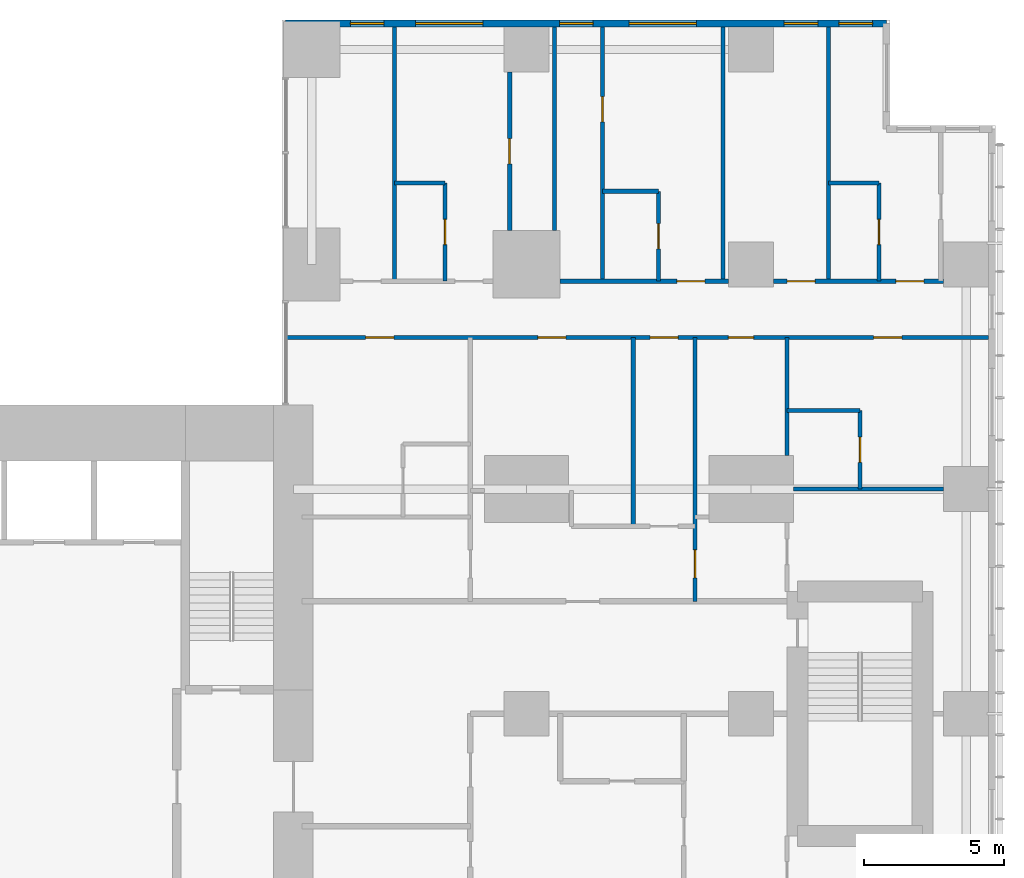
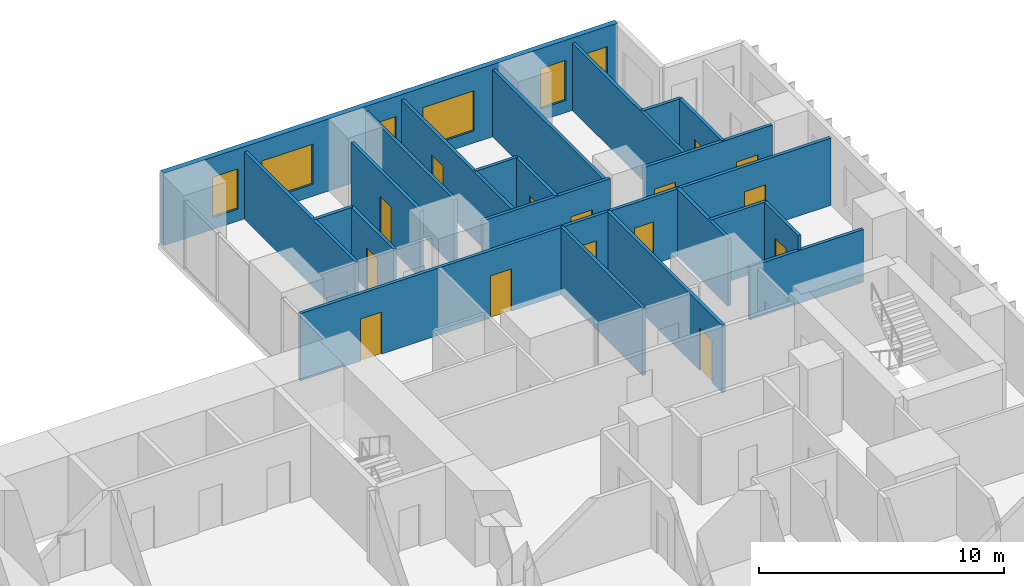
# One storey, part 10 of 12: 22 walls, 15 doors, 6 windows, 21 openings.
"""IFC4 building model written with IfcOpenShell, lengths in metres."""

import ifcopenshell
import ifcopenshell.guid

model = None  # the IFC model being written
_history = None  # IfcOwnerHistory: only IFC2X3 demands one
_inside = {}  # id of a spatial element -> (the spatial element, [elements in it])
_under = {}  # id of a project, library or spatial element -> (it, [spatial elements below it])
_declared = {}  # id of a project -> (the project, [libraries it declares])
_typed = {}  # id of a type object -> (the type object, [elements of that type])
_made_of = {}  # id of a material, layer set ... -> (it, [elements and type objects made of it])


def new_model(schema):
    """Start an empty IFC model of exactly this schema.

    Asked for "IFC4X3", IfcOpenShell would pick the latest addendum, in which some entities
    have other attributes; the version numbers below select the first issue.
    IFC2X3 requires an IfcOwnerHistory on every rooted entity: one is made here for all.
    """
    global model, _history
    if schema == "IFC4X3":
        model = ifcopenshell.file(schema_version=(4, 3, 0, 0))
    else:
        model = ifcopenshell.file(schema=schema)
    _inside.clear()
    _under.clear()
    _declared.clear()
    _typed.clear()
    _made_of.clear()
    _history = None
    if model.schema == "IFC2X3":
        org = make("IfcOrganization", Name="unknown")
        user = make(
            "IfcPersonAndOrganization",
            ThePerson=make("IfcPerson", FamilyName="unknown"),
            TheOrganization=org,
        )
        app = make(
            "IfcApplication",
            ApplicationDeveloper=org,
            Version="unknown",
            ApplicationFullName="unknown",
            ApplicationIdentifier="unknown",
        )
        _history = make(
            "IfcOwnerHistory",
            OwningUser=user,
            OwningApplication=app,
            ChangeAction="ADDED",
            CreationDate=0,
        )
    return model


def make(cls, **values):
    """One entity of the class cls with the attributes given. An attribute that is None is left unset."""
    return model.create_entity(
        cls, **{name: value for name, value in values.items() if value is not None}
    )


def rooted(cls, **values):
    """An entity with a GlobalId (a new one), such as an element, a storey or a relation."""
    return make(cls, GlobalId=ifcopenshell.guid.new(), OwnerHistory=_history, **values)


def si_unit(unit_type, name, prefix=None):
    """IfcSIUnit, for example si_unit("LENGTHUNIT", "METRE", prefix="MILLI")."""
    return make("IfcSIUnit", UnitType=unit_type, Prefix=prefix, Name=name)


def assignment(units):
    """IfcUnitAssignment: the units of a project."""
    return None if units is None else make("IfcUnitAssignment", Units=units)


def point(xyz):
    """IfcCartesianPoint."""
    return None if xyz is None else make("IfcCartesianPoint", Coordinates=xyz)


def direction(xyz):
    """IfcDirection."""
    return None if xyz is None else make("IfcDirection", DirectionRatios=xyz)


def frame(location, z_axis=None, x_axis=None):
    """IfcAxis2Placement3D, a coordinate frame: its origin and axes. An axis left out is left unset."""
    return make(
        "IfcAxis2Placement3D",
        Location=point(location),
        Axis=direction(z_axis),
        RefDirection=direction(x_axis),
    )


def frame_2d(location, x_axis=None):
    """IfcAxis2Placement2D, a coordinate frame in the plane: its origin and x axis."""
    return make(
        "IfcAxis2Placement2D", Location=point(location), RefDirection=direction(x_axis)
    )


def origin():
    """The frame at (0, 0, 0) with its axes left unset."""
    return frame((0.0, 0.0, 0.0))


def place(relative_to, where):
    """IfcLocalPlacement: puts the frame where relative to a parent placement (None: the world)."""
    return make(
        "IfcLocalPlacement", PlacementRelTo=relative_to, RelativePlacement=where
    )


def context(
    kind, dimensions, precision=None, world=None, true_north=None, identifier=None
):
    """IfcGeometricRepresentationContext, for example the 3D "Model" context."""
    return make(
        "IfcGeometricRepresentationContext",
        ContextIdentifier=identifier,
        ContextType=kind,
        CoordinateSpaceDimension=dimensions,
        Precision=precision,
        WorldCoordinateSystem=world,
        TrueNorth=true_north,
    )


def subcontext(parent, identifier, kind, view, scale=None):
    """IfcGeometricRepresentationSubContext, for example "Body" below "Model"."""
    return make(
        "IfcGeometricRepresentationSubContext",
        ContextIdentifier=identifier,
        ContextType=kind,
        ParentContext=parent,
        TargetScale=scale,
        TargetView=view,
    )


def project(units=None, contexts=None):
    """IfcProject with its units and contexts."""
    return rooted(
        "IfcProject",
        Name="project",
        RepresentationContexts=contexts,
        UnitsInContext=assignment(units),
    )


def spatial(cls, under=None, at=None, **own):
    """A site, building, storey or space (cls), placed at a placement, below another one or the project."""
    s = rooted(cls, ObjectPlacement=at, **own)
    if under is not None:
        _under.setdefault(under.id(), (under, []))[1].append(s)
    return s


def profile(cls, at=None, kind="AREA", **sizes):
    """A parametric profile (cls). Its sizes go by their IFC names, for example OverallWidth=200.0."""
    return make(cls, ProfileType=kind, Position=at, **sizes)


def rectangle(**sizes):
    """IfcRectangleProfileDef."""
    return profile("IfcRectangleProfileDef", **sizes)


def extrude(swept, where, along, depth):
    """IfcExtrudedAreaSolid: the profile swept, set in the frame where, extruded along a direction by depth."""
    return make(
        "IfcExtrudedAreaSolid",
        SweptArea=swept,
        Position=where,
        ExtrudedDirection=direction(along),
        Depth=depth,
    )


def shape(context_of_items, identifier, shape_type, items):
    """IfcShapeRepresentation: the items that make up one representation, for example the "Body"."""
    return make(
        "IfcShapeRepresentation",
        ContextOfItems=context_of_items,
        RepresentationIdentifier=identifier,
        RepresentationType=shape_type,
        Items=items,
    )


def material(Name=None, Category=None):
    """IfcMaterial."""
    return make("IfcMaterial", Name=Name, Category=Category)


def layer(
    of_material, thickness, ventilated=None, Name=None, Category=None, Priority=None
):
    """IfcMaterialLayer: one layer of a wall or slab, of a material (None: an air gap)."""
    return make(
        "IfcMaterialLayer",
        Material=of_material,
        LayerThickness=thickness,
        IsVentilated=ventilated,
        Name=Name,
        Category=Category,
        Priority=Priority,
    )


def layer_set(layers, Name=None):
    """IfcMaterialLayerSet."""
    return make("IfcMaterialLayerSet", MaterialLayers=layers, LayerSetName=Name)


def made_of(thing, what):
    """Note that an element or type object is made of a material, layer set ...; save() writes the relation."""
    if what is not None:
        _made_of.setdefault(what.id(), (what, []))[1].append(thing)
    return thing


def type_object(cls, material=None, **own):
    """A type object (cls), such as IfcWallType, which elements share."""
    return made_of(rooted(cls, **own), material)


def element(
    cls,
    number,
    at=None,
    inside=None,
    cuts=None,
    type_object=None,
    material=None,
    context=None,
    identifier="Body",
    shape_type=None,
    held_by="IfcProductDefinitionShape",
    body=None,
    shapes=None,
    **own,
):
    """One element of the class cls, such as IfcWall. Its Tag is "e" and its number.

    at: its placement. inside: the storey or other place that contains it. cuts: it is an
    opening in that element (IfcRelVoidsElement). A single representation is given by context,
    identifier, shape_type and body (its items); several are given by shapes. held_by: the class
    of the entity that holds the representations. save() writes the other relations.
    """
    e = rooted(cls, Tag="e%d" % number, ObjectPlacement=at, **own)
    if body is not None:
        shapes = [shape(context, identifier, shape_type, body)]
    if shapes is not None:
        e.Representation = make(held_by, Representations=shapes)
    if inside is not None:
        _inside.setdefault(inside.id(), (inside, []))[1].append(e)
    if cuts is not None:
        rooted(
            "IfcRelVoidsElement", RelatingBuildingElement=cuts, RelatedOpeningElement=e
        )
    if type_object is not None:
        _typed.setdefault(type_object.id(), (type_object, []))[1].append(e)
    return made_of(e, material)


def fill(opening, filler):
    """IfcRelFillsElement: the door or window that sits in an opening."""
    return rooted(
        "IfcRelFillsElement",
        RelatingOpeningElement=opening,
        RelatedBuildingElement=filler,
    )


def aggregate(whole, parts):
    """IfcRelAggregates: a whole, such as a stair, and the parts it consists of."""
    return rooted("IfcRelAggregates", RelatingObject=whole, RelatedObjects=parts)


def save(model, path):
    """Write the relations noted so far, then the file.

    IfcRelAggregates (storeys below a building ...), IfcRelContainedInSpatialStructure (elements
    in a storey), IfcRelDefinesByType, IfcRelAssociatesMaterial and IfcRelDeclares: one each for
    every whole, place, type object, material and project.
    """
    for whole, parts in _under.values():
        aggregate(whole, parts)
    for where, things in _inside.values():
        rooted(
            "IfcRelContainedInSpatialStructure",
            RelatedElements=things,
            RelatingStructure=where,
        )
    for kind, things in _typed.values():
        rooted("IfcRelDefinesByType", RelatedObjects=things, RelatingType=kind)
    for what, things in _made_of.values():
        rooted("IfcRelAssociatesMaterial", RelatedObjects=things, RelatingMaterial=what)
    for by, libraries in _declared.values():
        rooted("IfcRelDeclares", RelatingContext=by, RelatedDefinitions=libraries)
    model.write(path)


model = new_model("IFC4")

# Units and contexts
model_context = context("Model", 3, precision=1e-05, world=origin(), true_north=direction((0.0, 1.0)))
body_context = subcontext(model_context, "Body", "Model", "MODEL_VIEW")
ifc_project = project(units=[si_unit("LENGTHUNIT", "METRE"), si_unit("AREAUNIT", "SQUARE_METRE"), si_unit("VOLUMEUNIT", "CUBIC_METRE"), si_unit("PLANEANGLEUNIT", "RADIAN"), si_unit("MASSUNIT", "GRAM", prefix="KILO")], contexts=[model_context])

# Site, building, storey
site_placement = place(None, origin())
site = spatial("IfcSite", under=ifc_project, at=site_placement, CompositionType="ELEMENT")
building_placement = place(site_placement, origin())
building = spatial("IfcBuilding", under=site, at=building_placement, Name="Cleftline Residences", CompositionType="ELEMENT")
storey_placement = place(building_placement, frame((0.0, 0.0, 259.199951171875)))
storey = spatial("IfcBuildingStorey", under=building, at=storey_placement, Name="L68", CompositionType="ELEMENT", Elevation=259.199951171875)

# Wall, openings, windows
ifc_material_1 = material(Name="Rendered reinforced concrete blockwork", Category="masonry")
ifc_layer_1 = layer(ifc_material_1, 0.25)
ifc_layer_set_1 = layer_set([ifc_layer_1], Name="EXTERNAL WALL 250")
wall_type_1 = type_object("IfcWallType", Name="EXTERNAL WALL 250", PredefinedType="SOLIDWALL", material=ifc_layer_set_1)
wall_1_placement = place(storey_placement, frame((62.824951171875, 48.574951171875, 0.0), z_axis=(0.0, 0.0, 1.0), x_axis=(-1.0, 0.0, 0.0)))
wall_1 = element("IfcWall", 1, at=wall_1_placement, inside=storey, type_object=wall_type_1, Name="External wall", PredefinedType="SOLIDWALL", context=body_context, shape_type="SweptSolid", body=[
    extrude(rectangle(XDim=21.39990234375, YDim=0.25, at=frame_2d((10.699951171875, 0.0))), origin(), (0.0, 0.0, 1.0), 3.60009765625),
])
opening_1_placement = place(wall_1_placement, frame((0.5, 0.0, 0.60009765625)))
opening_1 = element("IfcOpeningElement", 2, at=opening_1_placement, cuts=wall_1, Name="Opening W8", PredefinedType="OPENING", context=body_context, shape_type="SweptSolid", body=[
    extrude(rectangle(XDim=1.199951171875, YDim=2.0, at=frame_2d((0.60009765625, 1.0))), frame((0.0, 0.135009765625, 0.0), z_axis=(0.0, -1.0, 0.0), x_axis=(1.0, 0.0, 0.0)), (0.0, 0.0, 1.0), 0.27001953125),
])
opening_2_placement = place(wall_1_placement, frame((2.449951171875, 0.0, 0.60009765625)))
opening_2 = element("IfcOpeningElement", 3, at=opening_2_placement, cuts=wall_1, Name="Opening W8", PredefinedType="OPENING", context=body_context, shape_type="SweptSolid", body=[
    extrude(rectangle(XDim=1.199951171875, YDim=2.0, at=frame_2d((0.60009765625, 1.0))), frame((0.0, 0.135009765625, 0.0), z_axis=(0.0, -1.0, 0.0), x_axis=(1.0, 0.0, 0.0)), (0.0, 0.0, 1.0), 0.27001953125),
])
opening_3_placement = place(wall_1_placement, frame((6.77490234375, 0.0, 0.60009765625)))
opening_3 = element("IfcOpeningElement", 4, at=opening_3_placement, cuts=wall_1, Name="Opening W6", PredefinedType="OPENING", context=body_context, shape_type="SweptSolid", body=[
    extrude(rectangle(XDim=2.39990234375, YDim=2.0, at=frame_2d((1.199951171875, 1.0))), frame((0.0, 0.135009765625, 0.0), z_axis=(0.0, -1.0, 0.0), x_axis=(1.0, 0.0, 0.0)), (0.0, 0.0, 1.0), 0.27001953125),
])
opening_4_placement = place(wall_1_placement, frame((10.449951171875, 0.0, 0.60009765625)))
opening_4 = element("IfcOpeningElement", 5, at=opening_4_placement, cuts=wall_1, Name="Opening W8", PredefinedType="OPENING", context=body_context, shape_type="SweptSolid", body=[
    extrude(rectangle(XDim=1.199951171875, YDim=2.0, at=frame_2d((0.60009765625, 1.0))), frame((0.0, 0.135009765625, 0.0), z_axis=(0.0, -1.0, 0.0), x_axis=(1.0, 0.0, 0.0)), (0.0, 0.0, 1.0), 0.27001953125),
])
opening_5_placement = place(wall_1_placement, frame((14.375, 0.0, 0.60009765625)))
opening_5 = element("IfcOpeningElement", 6, at=opening_5_placement, cuts=wall_1, Name="Opening W6", PredefinedType="OPENING", context=body_context, shape_type="SweptSolid", body=[
    extrude(rectangle(XDim=2.39990234375, YDim=2.0, at=frame_2d((1.199951171875, 1.0))), frame((0.0, 0.135009765625, 0.0), z_axis=(0.0, -1.0, 0.0), x_axis=(1.0, 0.0, 0.0)), (0.0, 0.0, 1.0), 0.27001953125),
])
opening_6_placement = place(wall_1_placement, frame((17.89990234375, 0.0, 0.60009765625)))
opening_6 = element("IfcOpeningElement", 7, at=opening_6_placement, cuts=wall_1, Name="Opening W8", PredefinedType="OPENING", context=body_context, shape_type="SweptSolid", body=[
    extrude(rectangle(XDim=1.199951171875, YDim=2.0, at=frame_2d((0.60009765625, 1.0))), frame((0.0, 0.135009765625, 0.0), z_axis=(0.0, -1.0, 0.0), x_axis=(1.0, 0.0, 0.0)), (0.0, 0.0, 1.0), 0.27001953125),
])
ifc_material_2 = material(Name="Aluminium frame, clear double glazing", Category="aluminium")
window_type_1 = type_object("IfcWindowType", Name="WINDOW 1200X2000", PartitioningType="DOUBLE_PANEL_VERTICAL", PredefinedType="WINDOW", material=ifc_material_2)
window_1_placement = place(opening_1_placement, origin())
window_1 = element("IfcWindow", 8, at=window_1_placement, inside=storey, type_object=window_type_1, Name="Window", OverallHeight=2.0, OverallWidth=1.199951171875, PartitioningType="SINGLE_PANEL", PredefinedType="WINDOW", context=body_context, shape_type="SweptSolid", body=[
    extrude(rectangle(XDim=1.199951171875, YDim=2.0, at=frame_2d((0.60009765625, 1.0))), frame((0.0, 0.030029296875, 0.0), z_axis=(0.0, -1.0, 0.0), x_axis=(1.0, 0.0, 0.0)), (0.0, 0.0, 1.0), 0.06005859375),
])
fill(opening_1, window_1)
window_2_placement = place(opening_2_placement, origin())
window_2 = element("IfcWindow", 9, at=window_2_placement, inside=storey, type_object=window_type_1, Name="Window", OverallHeight=2.0, OverallWidth=1.199951171875, PartitioningType="SINGLE_PANEL", PredefinedType="WINDOW", context=body_context, shape_type="SweptSolid", body=[
    extrude(rectangle(XDim=1.199951171875, YDim=2.0, at=frame_2d((0.60009765625, 1.0))), frame((0.0, 0.030029296875, 0.0), z_axis=(0.0, -1.0, 0.0), x_axis=(1.0, 0.0, 0.0)), (0.0, 0.0, 1.0), 0.06005859375),
])
fill(opening_2, window_2)
window_3_placement = place(opening_4_placement, origin())
window_3 = element("IfcWindow", 10, at=window_3_placement, inside=storey, type_object=window_type_1, Name="Window", OverallHeight=2.0, OverallWidth=1.199951171875, PartitioningType="SINGLE_PANEL", PredefinedType="WINDOW", context=body_context, shape_type="SweptSolid", body=[
    extrude(rectangle(XDim=1.199951171875, YDim=2.0, at=frame_2d((0.60009765625, 1.0))), frame((0.0, 0.030029296875, 0.0), z_axis=(0.0, -1.0, 0.0), x_axis=(1.0, 0.0, 0.0)), (0.0, 0.0, 1.0), 0.06005859375),
])
fill(opening_4, window_3)
window_4_placement = place(opening_6_placement, origin())
window_4 = element("IfcWindow", 11, at=window_4_placement, inside=storey, type_object=window_type_1, Name="Window", OverallHeight=2.0, OverallWidth=1.199951171875, PartitioningType="SINGLE_PANEL", PredefinedType="WINDOW", context=body_context, shape_type="SweptSolid", body=[
    extrude(rectangle(XDim=1.199951171875, YDim=2.0, at=frame_2d((0.60009765625, 1.0))), frame((0.0, 0.030029296875, 0.0), z_axis=(0.0, -1.0, 0.0), x_axis=(1.0, 0.0, 0.0)), (0.0, 0.0, 1.0), 0.06005859375),
])
fill(opening_6, window_4)
ifc_material_3 = material(Name="Aluminium frame, clear double glazing", Category="aluminium")
window_type_2 = type_object("IfcWindowType", Name="WINDOW 2400X2000", PartitioningType="DOUBLE_PANEL_VERTICAL", PredefinedType="WINDOW", material=ifc_material_3)
window_5_placement = place(opening_3_placement, origin())
window_5 = element("IfcWindow", 12, at=window_5_placement, inside=storey, type_object=window_type_2, Name="Window", OverallHeight=2.0, OverallWidth=2.39990234375, PartitioningType="SINGLE_PANEL", PredefinedType="WINDOW", context=body_context, shape_type="SweptSolid", body=[
    extrude(rectangle(XDim=2.39990234375, YDim=2.0, at=frame_2d((1.199951171875, 1.0))), frame((0.0, 0.030029296875, 0.0), z_axis=(0.0, -1.0, 0.0), x_axis=(1.0, 0.0, 0.0)), (0.0, 0.0, 1.0), 0.06005859375),
])
fill(opening_3, window_5)
window_6_placement = place(opening_5_placement, origin())
window_6 = element("IfcWindow", 13, at=window_6_placement, inside=storey, type_object=window_type_2, Name="Window", OverallHeight=2.0, OverallWidth=2.39990234375, PartitioningType="SINGLE_PANEL", PredefinedType="WINDOW", context=body_context, shape_type="SweptSolid", body=[
    extrude(rectangle(XDim=2.39990234375, YDim=2.0, at=frame_2d((1.199951171875, 1.0))), frame((0.0, 0.030029296875, 0.0), z_axis=(0.0, -1.0, 0.0), x_axis=(1.0, 0.0, 0.0)), (0.0, 0.0, 1.0), 0.06005859375),
])
fill(opening_5, window_6)

# Walls
ifc_material_4 = material(Name="Gypsum board on steel studs", Category="steel")
ifc_layer_2 = layer(ifc_material_4, 0.14990234375)
ifc_layer_set_2 = layer_set([ifc_layer_2], Name="PARTITION 150")
wall_type_2 = type_object("IfcWallType", Name="PARTITION 150", PredefinedType="PARTITIONING", material=ifc_layer_set_2)
wall_2_placement = place(storey_placement, frame((59.5, 32.0, 0.0), z_axis=(0.0, 0.0, 1.0), x_axis=(1.0, 0.0, 0.0)))
element("IfcWall", 14, at=wall_2_placement, inside=storey, type_object=wall_type_2, Name="Partition", PredefinedType="PARTITIONING", context=body_context, shape_type="SweptSolid", body=[
    extrude(rectangle(XDim=5.35009765625, YDim=0.14990234375, at=frame_2d((2.675048828125, 0.0))), origin(), (0.0, 0.0, 1.0), 2.634033203125),
])
wall_3_placement = place(storey_placement, frame((59.27490234375, 34.800048828125, 0.0), z_axis=(0.0, 0.0, 1.0), x_axis=(1.0, 0.0, 0.0)))
element("IfcWall", 15, at=wall_3_placement, inside=storey, type_object=wall_type_2, Name="Partition", PredefinedType="PARTITIONING", context=body_context, shape_type="SweptSolid", body=[
    extrude(rectangle(XDim=2.60009765625, YDim=0.14990234375, at=frame_2d((1.300048828125, 0.0))), origin(), (0.0, 0.0, 1.0), 3.35009765625),
])

# Wall, openings, doors
wall_4_placement = place(storey_placement, frame((41.43896484375, 37.39990234375, 0.0), z_axis=(0.0, 0.0, 1.0), x_axis=(1.0, 0.0, 0.0)))
wall_4 = element("IfcWall", 16, at=wall_4_placement, inside=storey, type_object=wall_type_2, Name="Partition", PredefinedType="PARTITIONING", context=body_context, shape_type="SweptSolid", body=[
    extrude(rectangle(XDim=25.010986328125, YDim=0.14990234375, at=frame_2d((12.50537109375, 0.0))), origin(), (0.0, 0.0, 1.0), 3.35009765625),
])
opening_7_placement = place(wall_4_placement, frame((12.9609375, 0.0, 0.0)))
opening_7 = element("IfcOpeningElement", 17, at=opening_7_placement, cuts=wall_4, Name="Opening D2F30", PredefinedType="OPENING", context=body_context, shape_type="SweptSolid", body=[
    extrude(rectangle(XDim=1.0, YDim=2.10009765625, at=frame_2d((0.5, 1.050048828125))), frame((0.0, 0.0849609375, 0.0), z_axis=(0.0, -1.0, 0.0), x_axis=(1.0, 0.0, 0.0)), (0.0, 0.0, 1.0), 0.169921875),
])
opening_8_placement = place(wall_4_placement, frame((20.923583984375, 0.0, 0.0)))
opening_8 = element("IfcOpeningElement", 18, at=opening_8_placement, cuts=wall_4, Name="Opening D2F30", PredefinedType="OPENING", context=body_context, shape_type="SweptSolid", body=[
    extrude(rectangle(XDim=1.0, YDim=2.10009765625, at=frame_2d((0.5, 1.050048828125))), frame((0.0, 0.0849609375, 0.0), z_axis=(0.0, -1.0, 0.0), x_axis=(1.0, 0.0, 0.0)), (0.0, 0.0, 1.0), 0.169921875),
])
opening_9_placement = place(wall_4_placement, frame((15.74853515625, 0.0, 0.0)))
opening_9 = element("IfcOpeningElement", 19, at=opening_9_placement, cuts=wall_4, Name="Opening D1F30", PredefinedType="OPENING", context=body_context, shape_type="SweptSolid", body=[
    extrude(rectangle(XDim=0.89990234375, YDim=2.10009765625, at=frame_2d((0.449951171875, 1.050048828125))), frame((0.0, 0.0849609375, 0.0), z_axis=(0.0, -1.0, 0.0), x_axis=(1.0, 0.0, 0.0)), (0.0, 0.0, 1.0), 0.169921875),
])
opening_10_placement = place(wall_4_placement, frame((8.9609375, 0.0, 0.0)))
opening_10 = element("IfcOpeningElement", 20, at=opening_10_placement, cuts=wall_4, Name="Opening D2F30", PredefinedType="OPENING", context=body_context, shape_type="SweptSolid", body=[
    extrude(rectangle(XDim=1.0, YDim=2.10009765625, at=frame_2d((0.5, 1.050048828125))), frame((0.0, 0.0849609375, 0.0), z_axis=(0.0, -1.0, 0.0), x_axis=(1.0, 0.0, 0.0)), (0.0, 0.0, 1.0), 0.169921875),
])
opening_11_placement = place(wall_4_placement, frame((2.8359375, 0.0, 0.0)))
opening_11 = element("IfcOpeningElement", 21, at=opening_11_placement, cuts=wall_4, Name="Opening D2F30", PredefinedType="OPENING", context=body_context, shape_type="SweptSolid", body=[
    extrude(rectangle(XDim=1.0, YDim=2.10009765625, at=frame_2d((0.5, 1.050048828125))), frame((0.0, 0.0849609375, 0.0), z_axis=(0.0, -1.0, 0.0), x_axis=(1.0, 0.0, 0.0)), (0.0, 0.0, 1.0), 0.169921875),
])
ifc_material_5 = material(Name="Timber veneer on solid core", Category="wood")
door_type_1 = type_object("IfcDoorType", Name="DOOR 1000X2100 EI 30", OperationType="SINGLE_SWING_LEFT", PredefinedType="DOOR", material=ifc_material_5)
door_1_placement = place(opening_7_placement, origin())
door_1 = element("IfcDoor", 22, at=door_1_placement, inside=storey, type_object=door_type_1, Name="Door to residence corridor (bedrooms)", OperationType="SINGLE_SWING_LEFT", OverallHeight=2.10009765625, OverallWidth=1.0, PredefinedType="DOOR", context=body_context, shape_type="SweptSolid", body=[
    extrude(rectangle(XDim=1.0, YDim=2.10009765625, at=frame_2d((0.5, 1.050048828125))), frame((0.0, 0.02490234375, 0.0), z_axis=(0.0, -1.0, 0.0), x_axis=(1.0, 0.0, 0.0)), (0.0, 0.0, 1.0), 0.050048828125),
])
fill(opening_7, door_1)
door_2_placement = place(opening_8_placement, origin())
door_2 = element("IfcDoor", 23, at=door_2_placement, inside=storey, type_object=door_type_1, Name="Door to master bedroom", OperationType="SINGLE_SWING_LEFT", OverallHeight=2.10009765625, OverallWidth=1.0, PredefinedType="DOOR", context=body_context, shape_type="SweptSolid", body=[
    extrude(rectangle(XDim=1.0, YDim=2.10009765625, at=frame_2d((0.5, 1.050048828125))), frame((0.0, 0.02490234375, 0.0), z_axis=(0.0, -1.0, 0.0), x_axis=(1.0, 0.0, 0.0)), (0.0, 0.0, 1.0), 0.050048828125),
])
fill(opening_8, door_2)
door_3_placement = place(opening_10_placement, origin())
door_3 = element("IfcDoor", 24, at=door_3_placement, inside=storey, type_object=door_type_1, Name="Door to family room", OperationType="SINGLE_SWING_RIGHT", OverallHeight=2.10009765625, OverallWidth=1.0, PredefinedType="DOOR", context=body_context, shape_type="SweptSolid", body=[
    extrude(rectangle(XDim=1.0, YDim=2.10009765625, at=frame_2d((0.5, 1.050048828125))), frame((0.0, 0.02490234375, 0.0), z_axis=(0.0, -1.0, 0.0), x_axis=(1.0, 0.0, 0.0)), (0.0, 0.0, 1.0), 0.050048828125),
])
fill(opening_10, door_3)
door_4_placement = place(opening_11_placement, origin())
door_4 = element("IfcDoor", 25, at=door_4_placement, inside=storey, type_object=door_type_1, Name="Door to bedroom 5", OperationType="SINGLE_SWING_RIGHT", OverallHeight=2.10009765625, OverallWidth=1.0, PredefinedType="DOOR", context=body_context, shape_type="SweptSolid", body=[
    extrude(rectangle(XDim=1.0, YDim=2.10009765625, at=frame_2d((0.5, 1.050048828125))), frame((0.0, 0.02490234375, 0.0), z_axis=(0.0, -1.0, 0.0), x_axis=(1.0, 0.0, 0.0)), (0.0, 0.0, 1.0), 0.050048828125),
])
fill(opening_11, door_4)
ifc_material_6 = material(Name="Timber veneer on solid core", Category="wood")
door_type_2 = type_object("IfcDoorType", Name="DOOR 900X2100 EI 30", OperationType="SINGLE_SWING_LEFT", PredefinedType="DOOR", material=ifc_material_6)
door_5_placement = place(opening_9_placement, origin())
door_5 = element("IfcDoor", 26, at=door_5_placement, inside=storey, type_object=door_type_2, Name="Door to master bathroom", OperationType="SINGLE_SWING_LEFT", OverallHeight=2.10009765625, OverallWidth=0.89990234375, PredefinedType="DOOR", context=body_context, shape_type="SweptSolid", body=[
    extrude(rectangle(XDim=0.89990234375, YDim=2.10009765625, at=frame_2d((0.449951171875, 1.050048828125))), frame((0.0, 0.02490234375, 0.0), z_axis=(0.0, -1.0, 0.0), x_axis=(1.0, 0.0, 0.0)), (0.0, 0.0, 1.0), 0.050048828125),
])
fill(opening_9, door_5)

# Wall, opening, door
wall_5_placement = place(storey_placement, frame((51.199951171875, 39.39990234375, 0.0), z_axis=(0.0, 0.0, 1.0), x_axis=(1.0, 0.0, 0.0)))
wall_5 = element("IfcWall", 27, at=wall_5_placement, inside=storey, type_object=wall_type_2, Name="Partition", PredefinedType="PARTITIONING", context=body_context, shape_type="SweptSolid", body=[
    extrude(rectangle(XDim=6.0, YDim=0.14990234375, at=frame_2d((3.0, 0.0))), origin(), (0.0, 0.0, 1.0), 3.35009765625),
])
opening_12_placement = place(wall_5_placement, frame((4.14990234375, 0.0, 0.0)))
opening_12 = element("IfcOpeningElement", 28, at=opening_12_placement, cuts=wall_5, Name="Opening D2", PredefinedType="OPENING", context=body_context, shape_type="SweptSolid", body=[
    extrude(rectangle(XDim=1.0, YDim=2.10009765625, at=frame_2d((0.5, 1.050048828125))), frame((0.0, 0.0849609375, 0.0), z_axis=(0.0, -1.0, 0.0), x_axis=(1.0, 0.0, 0.0)), (0.0, 0.0, 1.0), 0.169921875),
])
ifc_material_7 = material(Name="Timber veneer on solid core", Category="wood")
door_type_3 = type_object("IfcDoorType", Name="DOOR 1000X2100", OperationType="SINGLE_SWING_LEFT", PredefinedType="DOOR", material=ifc_material_7)
door_6_placement = place(opening_12_placement, origin())
door_6 = element("IfcDoor", 29, at=door_6_placement, inside=storey, type_object=door_type_3, Name="Door to bedroom 3", OperationType="SINGLE_SWING_LEFT", OverallHeight=2.10009765625, OverallWidth=1.0, PredefinedType="DOOR", context=body_context, shape_type="SweptSolid", body=[
    extrude(rectangle(XDim=1.0, YDim=2.10009765625, at=frame_2d((0.5, 1.050048828125))), frame((0.0, 0.02490234375, 0.0), z_axis=(0.0, -1.0, 0.0), x_axis=(1.0, 0.0, 0.0)), (0.0, 0.0, 1.0), 0.050048828125),
])
fill(opening_12, door_6)

# Wall, openings, doors
wall_6_placement = place(storey_placement, frame((58.800048828125, 39.39990234375, 0.0), z_axis=(0.0, 0.0, 1.0), x_axis=(1.0, 0.0, 0.0)))
wall_6 = element("IfcWall", 30, at=wall_6_placement, inside=storey, type_object=wall_type_2, Name="Partition", PredefinedType="PARTITIONING", context=body_context, shape_type="SweptSolid", body=[
    extrude(rectangle(XDim=6.050048828125, YDim=0.14990234375, at=frame_2d((3.02490234375, 0.0))), origin(), (0.0, 0.0, 1.0), 3.35009765625),
])
opening_13_placement = place(wall_6_placement, frame((4.35009765625, 0.0, 0.0)))
opening_13 = element("IfcOpeningElement", 31, at=opening_13_placement, cuts=wall_6, Name="Opening D2", PredefinedType="OPENING", context=body_context, shape_type="SweptSolid", body=[
    extrude(rectangle(XDim=1.0, YDim=2.10009765625, at=frame_2d((0.5, 1.050048828125))), frame((0.0, 0.0849609375, 0.0), z_axis=(0.0, -1.0, 0.0), x_axis=(1.0, 0.0, 0.0)), (0.0, 0.0, 1.0), 0.169921875),
])
opening_14_placement = place(wall_6_placement, frame((0.47509765625, 0.0, 0.0)))
opening_14 = element("IfcOpeningElement", 32, at=opening_14_placement, cuts=wall_6, Name="Opening D2", PredefinedType="OPENING", context=body_context, shape_type="SweptSolid", body=[
    extrude(rectangle(XDim=1.0, YDim=2.10009765625, at=frame_2d((0.5, 1.050048828125))), frame((0.0, 0.0849609375, 0.0), z_axis=(0.0, -1.0, 0.0), x_axis=(1.0, 0.0, 0.0)), (0.0, 0.0, 1.0), 0.169921875),
])
door_7_placement = place(opening_13_placement, origin())
door_7 = element("IfcDoor", 33, at=door_7_placement, inside=storey, type_object=door_type_3, Name="Door to bedroom 2", OperationType="SINGLE_SWING_LEFT", OverallHeight=2.10009765625, OverallWidth=1.0, PredefinedType="DOOR", context=body_context, shape_type="SweptSolid", body=[
    extrude(rectangle(XDim=1.0, YDim=2.10009765625, at=frame_2d((0.5, 1.050048828125))), frame((0.0, 0.02490234375, 0.0), z_axis=(0.0, -1.0, 0.0), x_axis=(1.0, 0.0, 0.0)), (0.0, 0.0, 1.0), 0.050048828125),
])
fill(opening_13, door_7)
door_8_placement = place(opening_14_placement, origin())
door_8 = element("IfcDoor", 34, at=door_8_placement, inside=storey, type_object=door_type_3, Name="Door to bedroom 2 sitting room", OperationType="SINGLE_SWING_RIGHT", OverallHeight=2.10009765625, OverallWidth=1.0, PredefinedType="DOOR", context=body_context, shape_type="SweptSolid", body=[
    extrude(rectangle(XDim=1.0, YDim=2.10009765625, at=frame_2d((0.5, 1.050048828125))), frame((0.0, 0.02490234375, 0.0), z_axis=(0.0, -1.0, 0.0), x_axis=(1.0, 0.0, 0.0)), (0.0, 0.0, 1.0), 0.050048828125),
])
fill(opening_14, door_8)

# Walls
wall_7_placement = place(storey_placement, frame((52.699951171875, 42.60009765625, 0.0), z_axis=(0.0, 0.0, 1.0), x_axis=(1.0, 0.0, 0.0)))
element("IfcWall", 35, at=wall_7_placement, inside=storey, type_object=wall_type_2, Name="Partition", PredefinedType="PARTITIONING", context=body_context, shape_type="SweptSolid", body=[
    extrude(rectangle(XDim=2.0, YDim=0.14990234375, at=frame_2d((1.0, 0.0))), origin(), (0.0, 0.0, 1.0), 3.35009765625),
])
for number, where, z_axis, x_axis, name in (
    (36, (45.300048828125, 42.89990234375, 0.0), (0.0, 0.0, 1.0), (1.0, 0.0, 0.0), "Partition"),
    (37, (60.75, 42.89990234375, 0.0), (0.0, 0.0, 1.0), (1.0, 0.0, 0.0), "Partition"),
):
    element("IfcWall", number, at=place(storey_placement, frame(where, z_axis=z_axis, x_axis=x_axis)), inside=storey, type_object=wall_type_2, Name=name, PredefinedType="PARTITIONING", context=body_context, shape_type="SweptSolid", body=[
        extrude(rectangle(XDim=1.800048828125, YDim=0.14990234375, at=frame_2d((0.89990234375, 0.0))), origin(), (0.0, 0.0, 1.0), 3.35009765625),
    ])
wall_8_placement = place(storey_placement, frame((45.300048828125, 39.39990234375, 0.0), z_axis=(0.0, 0.0, 1.0), x_axis=(0.0, 1.0, 0.0)))
element("IfcWall", 38, at=wall_8_placement, inside=storey, type_object=wall_type_2, Name="Partition", PredefinedType="PARTITIONING", context=body_context, shape_type="SweptSolid", body=[
    extrude(rectangle(XDim=9.050048828125, YDim=0.14990234375, at=frame_2d((4.52490234375, 0.0))), origin(), (0.0, 0.0, 1.0), 3.35009765625),
])

# Wall, opening, door
wall_9_placement = place(storey_placement, frame((47.10009765625, 39.39990234375, 0.0), z_axis=(0.0, 0.0, 1.0), x_axis=(0.0, 1.0, 0.0)))
wall_9 = element("IfcWall", 39, at=wall_9_placement, inside=storey, type_object=wall_type_2, Name="Partition", PredefinedType="PARTITIONING", context=body_context, shape_type="SweptSolid", body=[
    extrude(rectangle(XDim=3.5, YDim=0.14990234375, at=frame_2d((1.75, 0.0))), origin(), (0.0, 0.0, 1.0), 3.35009765625),
])
opening_15_placement = place(wall_9_placement, frame((1.300048828125, 0.0, 0.0)))
opening_15 = element("IfcOpeningElement", 40, at=opening_15_placement, cuts=wall_9, Name="Opening D1", PredefinedType="OPENING", context=body_context, shape_type="SweptSolid", body=[
    extrude(rectangle(XDim=0.89990234375, YDim=2.10009765625, at=frame_2d((0.449951171875, 1.050048828125))), frame((0.0, 0.0849609375, 0.0), z_axis=(0.0, -1.0, 0.0), x_axis=(1.0, 0.0, 0.0)), (0.0, 0.0, 1.0), 0.169921875),
])
ifc_material_8 = material(Name="Timber veneer on solid core", Category="wood")
door_type_4 = type_object("IfcDoorType", Name="DOOR 900X2100", OperationType="SINGLE_SWING_LEFT", PredefinedType="DOOR", material=ifc_material_8)
door_9_placement = place(opening_15_placement, origin())
door_9 = element("IfcDoor", 41, at=door_9_placement, inside=storey, type_object=door_type_4, Name="Door to en-suite bathroom 4", OperationType="SINGLE_SWING_LEFT", OverallHeight=2.10009765625, OverallWidth=0.89990234375, PredefinedType="DOOR", context=body_context, shape_type="SweptSolid", body=[
    extrude(rectangle(XDim=0.89990234375, YDim=2.10009765625, at=frame_2d((0.449951171875, 1.050048828125))), frame((0.0, 0.02490234375, 0.0), z_axis=(0.0, -1.0, 0.0), x_axis=(1.0, 0.0, 0.0)), (0.0, 0.0, 1.0), 0.050048828125),
])
fill(opening_15, door_9)

wall_10_placement = place(storey_placement, frame((49.39990234375, 41.199951171875, 0.0), z_axis=(0.0, 0.0, 1.0), x_axis=(0.0, 1.0, 0.0)))
wall_10 = element("IfcWall", 42, at=wall_10_placement, inside=storey, type_object=wall_type_2, Name="Partition", PredefinedType="PARTITIONING", context=body_context, shape_type="SweptSolid", body=[
    extrude(rectangle(XDim=5.650146484375, YDim=0.14990234375, at=frame_2d((2.8251953125, 0.0))), origin(), (0.0, 0.0, 1.0), 3.35009765625),
])
opening_16_placement = place(wall_10_placement, frame((2.375, 0.0, 0.0)))
opening_16 = element("IfcOpeningElement", 43, at=opening_16_placement, cuts=wall_10, Name="Opening D1", PredefinedType="OPENING", context=body_context, shape_type="SweptSolid", body=[
    extrude(rectangle(XDim=0.89990234375, YDim=2.10009765625, at=frame_2d((0.449951171875, 1.050048828125))), frame((0.0, 0.0849609375, 0.0), z_axis=(0.0, -1.0, 0.0), x_axis=(1.0, 0.0, 0.0)), (0.0, 0.0, 1.0), 0.169921875),
])
door_10_placement = place(opening_16_placement, origin())
door_10 = element("IfcDoor", 44, at=door_10_placement, inside=storey, type_object=door_type_4, Name="Door to walk-in wardrobe", OperationType="SINGLE_SWING_LEFT", OverallHeight=2.10009765625, OverallWidth=0.89990234375, PredefinedType="DOOR", context=body_context, shape_type="SweptSolid", body=[
    extrude(rectangle(XDim=0.89990234375, YDim=2.10009765625, at=frame_2d((0.449951171875, 1.050048828125))), frame((0.0, 0.02490234375, 0.0), z_axis=(0.0, -1.0, 0.0), x_axis=(1.0, 0.0, 0.0)), (0.0, 0.0, 1.0), 0.050048828125),
])
fill(opening_16, door_10)

# Wall
wall_11_placement = place(storey_placement, frame((51.0, 41.199951171875, 0.0), z_axis=(0.0, 0.0, 1.0), x_axis=(0.0, 1.0, 0.0)))
element("IfcWall", 45, at=wall_11_placement, inside=storey, type_object=wall_type_2, Name="Partition", PredefinedType="PARTITIONING", context=body_context, shape_type="SweptSolid", body=[
    extrude(rectangle(XDim=7.25, YDim=0.14990234375, at=frame_2d((3.625, 0.0))), origin(), (0.0, 0.0, 1.0), 3.35009765625),
])

# Wall, opening, door
wall_12_placement = place(storey_placement, frame((52.699951171875, 39.39990234375, 0.0), z_axis=(0.0, 0.0, 1.0), x_axis=(0.0, 1.0, 0.0)))
wall_12 = element("IfcWall", 46, at=wall_12_placement, inside=storey, type_object=wall_type_2, Name="Partition", PredefinedType="PARTITIONING", context=body_context, shape_type="SweptSolid", body=[
    extrude(rectangle(XDim=9.050048828125, YDim=0.14990234375, at=frame_2d((4.52490234375, 0.0))), origin(), (0.0, 0.0, 1.0), 3.35009765625),
])
opening_17_placement = place(wall_12_placement, frame((5.675048828125, 0.0, 0.0)))
opening_17 = element("IfcOpeningElement", 47, at=opening_17_placement, cuts=wall_12, Name="Opening D1", PredefinedType="OPENING", context=body_context, shape_type="SweptSolid", body=[
    extrude(rectangle(XDim=0.89990234375, YDim=2.10009765625, at=frame_2d((0.449951171875, 1.050048828125))), frame((0.0, 0.0849609375, 0.0), z_axis=(0.0, -1.0, 0.0), x_axis=(1.0, 0.0, 0.0)), (0.0, 0.0, 1.0), 0.169921875),
])
door_11_placement = place(opening_17_placement, origin())
door_11 = element("IfcDoor", 48, at=door_11_placement, inside=storey, type_object=door_type_4, Name="Door to walk-in wardrobe", OperationType="SINGLE_SWING_LEFT", OverallHeight=2.10009765625, OverallWidth=0.89990234375, PredefinedType="DOOR", context=body_context, shape_type="SweptSolid", body=[
    extrude(rectangle(XDim=0.89990234375, YDim=2.10009765625, at=frame_2d((0.449951171875, 1.050048828125))), frame((0.0, 0.02490234375, 0.0), z_axis=(0.0, -1.0, 0.0), x_axis=(1.0, 0.0, 0.0)), (0.0, 0.0, 1.0), 0.050048828125),
])
fill(opening_17, door_11)

# Wall
wall_13_placement = place(storey_placement, frame((53.800048828125, 30.675048828125, 0.0), z_axis=(0.0, 0.0, 1.0), x_axis=(0.0, 1.0, 0.0)))
element("IfcWall", 49, at=wall_13_placement, inside=storey, type_object=wall_type_2, Name="Partition", PredefinedType="PARTITIONING", context=body_context, shape_type="SweptSolid", body=[
    extrude(rectangle(XDim=6.724853515625, YDim=0.14990234375, at=frame_2d((3.3623046875, 0.0))), origin(), (0.0, 0.0, 1.0), 3.35009765625),
])

# Wall, opening, door
wall_14_placement = place(storey_placement, frame((54.699951171875, 39.39990234375, 0.0), z_axis=(0.0, 0.0, 1.0), x_axis=(0.0, 1.0, 0.0)))
wall_14 = element("IfcWall", 50, at=wall_14_placement, inside=storey, type_object=wall_type_2, Name="Partition", PredefinedType="PARTITIONING", context=body_context, shape_type="SweptSolid", body=[
    extrude(rectangle(XDim=3.2001953125, YDim=0.14990234375, at=frame_2d((1.60009765625, 0.0))), origin(), (0.0, 0.0, 1.0), 3.35009765625),
])
opening_18_placement = place(wall_14_placement, frame((1.14990234375, 0.0, 0.0)))
opening_18 = element("IfcOpeningElement", 51, at=opening_18_placement, cuts=wall_14, Name="Opening D1", PredefinedType="OPENING", context=body_context, shape_type="SweptSolid", body=[
    extrude(rectangle(XDim=0.89990234375, YDim=2.10009765625, at=frame_2d((0.449951171875, 1.050048828125))), frame((0.0, 0.0849609375, 0.0), z_axis=(0.0, -1.0, 0.0), x_axis=(1.0, 0.0, 0.0)), (0.0, 0.0, 1.0), 0.169921875),
])
door_12_placement = place(opening_18_placement, origin())
door_12 = element("IfcDoor", 52, at=door_12_placement, inside=storey, type_object=door_type_4, Name="Door to en-suite bathroom 3", OperationType="SINGLE_SWING_LEFT", OverallHeight=2.10009765625, OverallWidth=0.89990234375, PredefinedType="DOOR", context=body_context, shape_type="SweptSolid", body=[
    extrude(rectangle(XDim=0.89990234375, YDim=2.10009765625, at=frame_2d((0.449951171875, 1.050048828125))), frame((0.0, 0.02490234375, 0.0), z_axis=(0.0, -1.0, 0.0), x_axis=(1.0, 0.0, 0.0)), (0.0, 0.0, 1.0), 0.050048828125),
])
fill(opening_18, door_12)

wall_15_placement = place(storey_placement, frame((56.0, 28.0, 0.0), z_axis=(0.0, 0.0, 1.0), x_axis=(0.0, 1.0, 0.0)))
wall_15 = element("IfcWall", 53, at=wall_15_placement, inside=storey, type_object=wall_type_2, Name="Partition", PredefinedType="PARTITIONING", context=body_context, shape_type="SweptSolid", body=[
    extrude(rectangle(XDim=9.39990234375, YDim=0.14990234375, at=frame_2d((4.699951171875, 0.0))), origin(), (0.0, 0.0, 1.0), 3.35009765625),
])
opening_19_placement = place(wall_15_placement, frame((0.83740234375, 0.0, 0.0)))
opening_19 = element("IfcOpeningElement", 54, at=opening_19_placement, cuts=wall_15, Name="Opening D2F30", PredefinedType="OPENING", context=body_context, shape_type="SweptSolid", body=[
    extrude(rectangle(XDim=1.0, YDim=2.10009765625, at=frame_2d((0.5, 1.050048828125))), frame((0.0, 0.0849609375, 0.0), z_axis=(0.0, -1.0, 0.0), x_axis=(1.0, 0.0, 0.0)), (0.0, 0.0, 1.0), 0.169921875),
])
door_13_placement = place(opening_19_placement, origin())
door_13 = element("IfcDoor", 55, at=door_13_placement, inside=storey, type_object=door_type_1, Name="Door to residence lobby (service)", OperationType="SINGLE_SWING_RIGHT", OverallHeight=2.10009765625, OverallWidth=1.0, PredefinedType="DOOR", context=body_context, shape_type="SweptSolid", body=[
    extrude(rectangle(XDim=1.0, YDim=2.10009765625, at=frame_2d((0.5, 1.050048828125))), frame((0.0, 0.02490234375, 0.0), z_axis=(0.0, -1.0, 0.0), x_axis=(1.0, 0.0, 0.0)), (0.0, 0.0, 1.0), 0.050048828125),
])
fill(opening_19, door_13)

# Walls
wall_16_placement = place(storey_placement, frame((57.0, 39.39990234375, 0.0), z_axis=(0.0, 0.0, 1.0), x_axis=(0.0, 1.0, 0.0)))
element("IfcWall", 56, at=wall_16_placement, inside=storey, type_object=wall_type_2, Name="Partition", PredefinedType="PARTITIONING", context=body_context, shape_type="SweptSolid", body=[
    extrude(rectangle(XDim=9.050048828125, YDim=0.14990234375, at=frame_2d((4.52490234375, 0.0))), origin(), (0.0, 0.0, 1.0), 3.35009765625),
])
wall_17_placement = place(storey_placement, frame((59.27490234375, 33.199951171875, 0.0), z_axis=(0.0, 0.0, 1.0), x_axis=(0.0, 1.0, 0.0)))
element("IfcWall", 57, at=wall_17_placement, inside=storey, type_object=wall_type_2, Name="Partition", PredefinedType="PARTITIONING", context=body_context, shape_type="SweptSolid", body=[
    extrude(rectangle(XDim=4.199951171875, YDim=0.14990234375, at=frame_2d((2.10009765625, 0.0))), origin(), (0.0, 0.0, 1.0), 3.35009765625),
])
wall_18_placement = place(storey_placement, frame((60.75, 39.39990234375, 0.0), z_axis=(0.0, 0.0, 1.0), x_axis=(0.0, 1.0, 0.0)))
element("IfcWall", 58, at=wall_18_placement, inside=storey, type_object=wall_type_2, Name="Partition", PredefinedType="PARTITIONING", context=body_context, shape_type="SweptSolid", body=[
    extrude(rectangle(XDim=9.050048828125, YDim=0.14990234375, at=frame_2d((4.52490234375, 0.0))), origin(), (0.0, 0.0, 1.0), 3.35009765625),
])

# Wall, opening, door
wall_19_placement = place(storey_placement, frame((61.875, 32.0, 0.0), z_axis=(0.0, 0.0, 1.0), x_axis=(0.0, 1.0, 0.0)))
wall_19 = element("IfcWall", 59, at=wall_19_placement, inside=storey, type_object=wall_type_2, Name="Partition", PredefinedType="PARTITIONING", context=body_context, shape_type="SweptSolid", body=[
    extrude(rectangle(XDim=2.800048828125, YDim=0.14990234375, at=frame_2d((1.39990234375, 0.0))), origin(), (0.0, 0.0, 1.0), 3.35009765625),
])
opening_20_placement = place(wall_19_placement, frame((0.949951171875, 0.0, 0.0)))
opening_20 = element("IfcOpeningElement", 60, at=opening_20_placement, cuts=wall_19, Name="Opening D1", PredefinedType="OPENING", context=body_context, shape_type="SweptSolid", body=[
    extrude(rectangle(XDim=0.89990234375, YDim=2.10009765625, at=frame_2d((0.449951171875, 1.050048828125))), frame((0.0, 0.0849609375, 0.0), z_axis=(0.0, -1.0, 0.0), x_axis=(1.0, 0.0, 0.0)), (0.0, 0.0, 1.0), 0.169921875),
])
door_14_placement = place(opening_20_placement, origin())
door_14 = element("IfcDoor", 61, at=door_14_placement, inside=storey, type_object=door_type_4, Name="Door to master bathroom", OperationType="SINGLE_SWING_LEFT", OverallHeight=2.10009765625, OverallWidth=0.89990234375, PredefinedType="DOOR", context=body_context, shape_type="SweptSolid", body=[
    extrude(rectangle(XDim=0.89990234375, YDim=2.10009765625, at=frame_2d((0.449951171875, 1.050048828125))), frame((0.0, 0.02490234375, 0.0), z_axis=(0.0, -1.0, 0.0), x_axis=(1.0, 0.0, 0.0)), (0.0, 0.0, 1.0), 0.050048828125),
])
fill(opening_20, door_14)

wall_20_placement = place(storey_placement, frame((62.550048828125, 39.39990234375, 0.0), z_axis=(0.0, 0.0, 1.0), x_axis=(0.0, 1.0, 0.0)))
wall_20 = element("IfcWall", 62, at=wall_20_placement, inside=storey, type_object=wall_type_2, Name="Partition", PredefinedType="PARTITIONING", context=body_context, shape_type="SweptSolid", body=[
    extrude(rectangle(XDim=3.5, YDim=0.14990234375, at=frame_2d((1.75, 0.0))), origin(), (0.0, 0.0, 1.0), 3.35009765625),
])
opening_21_placement = place(wall_20_placement, frame((1.300048828125, 0.0, 0.0)))
opening_21 = element("IfcOpeningElement", 63, at=opening_21_placement, cuts=wall_20, Name="Opening D1", PredefinedType="OPENING", context=body_context, shape_type="SweptSolid", body=[
    extrude(rectangle(XDim=0.89990234375, YDim=2.10009765625, at=frame_2d((0.449951171875, 1.050048828125))), frame((0.0, 0.0849609375, 0.0), z_axis=(0.0, -1.0, 0.0), x_axis=(1.0, 0.0, 0.0)), (0.0, 0.0, 1.0), 0.169921875),
])
door_15_placement = place(opening_21_placement, origin())
door_15 = element("IfcDoor", 64, at=door_15_placement, inside=storey, type_object=door_type_4, Name="Door to en-suite bathroom 2", OperationType="SINGLE_SWING_LEFT", OverallHeight=2.10009765625, OverallWidth=0.89990234375, PredefinedType="DOOR", context=body_context, shape_type="SweptSolid", body=[
    extrude(rectangle(XDim=0.89990234375, YDim=2.10009765625, at=frame_2d((0.449951171875, 1.050048828125))), frame((0.0, 0.02490234375, 0.0), z_axis=(0.0, -1.0, 0.0), x_axis=(1.0, 0.0, 0.0)), (0.0, 0.0, 1.0), 0.050048828125),
])
fill(opening_21, door_15)

save(model, "model.ifc")
